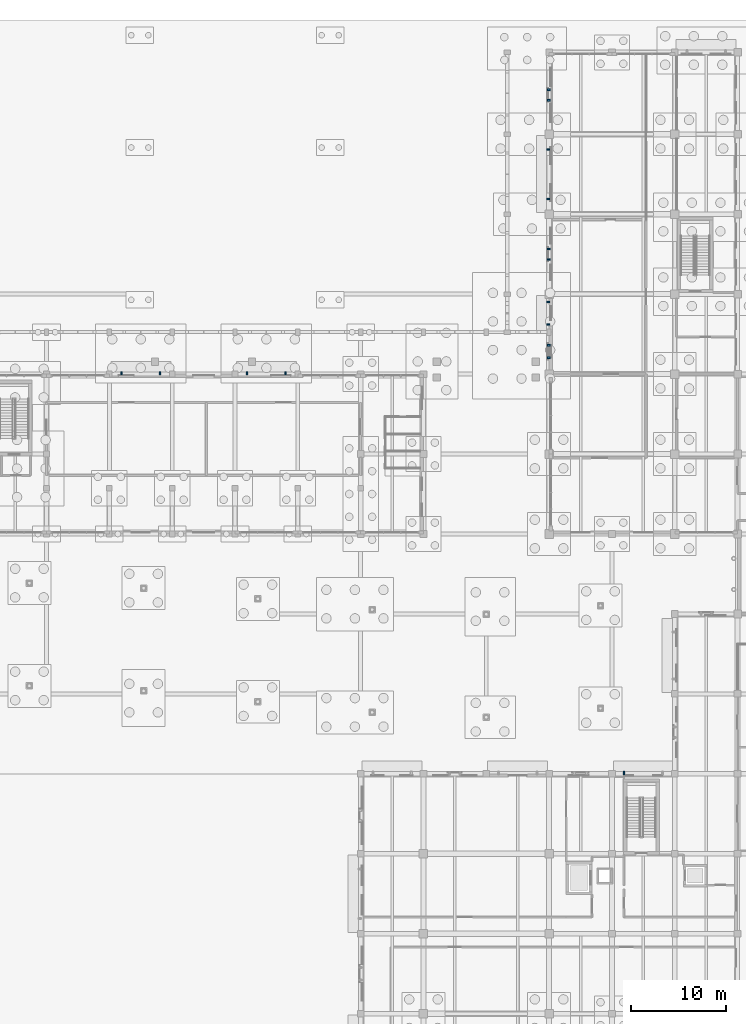
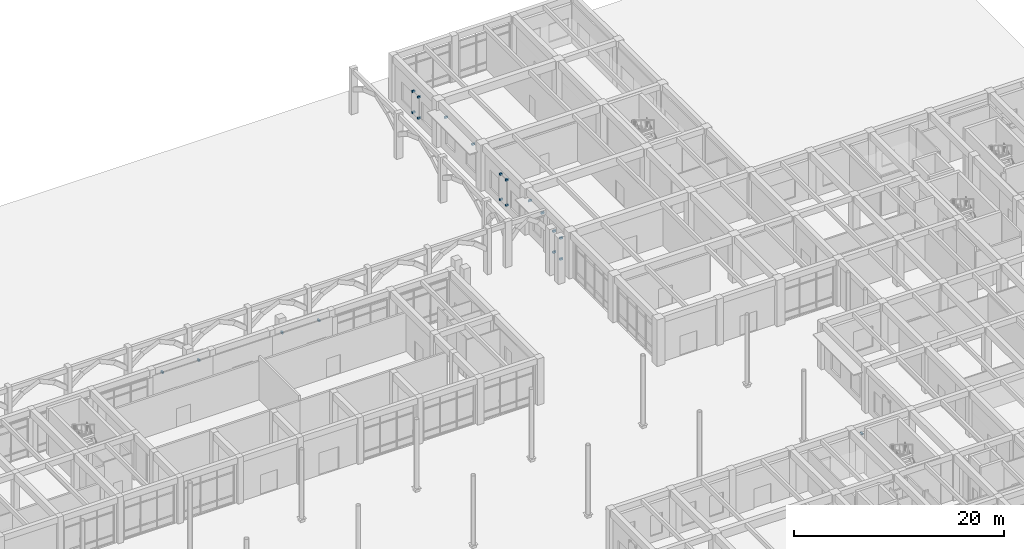
# One storey, part 69 of 82: 21 discrete accessories.
"""IFC4 building model written with IfcOpenShell, lengths in metres."""

import ifcopenshell
import ifcopenshell.guid

model = None  # the IFC model being written
_history = None  # IfcOwnerHistory: only IFC2X3 demands one
_inside = {}  # id of a spatial element -> (the spatial element, [elements in it])
_under = {}  # id of a project, library or spatial element -> (it, [spatial elements below it])
_declared = {}  # id of a project -> (the project, [libraries it declares])
_typed = {}  # id of a type object -> (the type object, [elements of that type])
_made_of = {}  # id of a material, layer set ... -> (it, [elements and type objects made of it])


def new_model(schema):
    """Start an empty IFC model of exactly this schema.

    Asked for "IFC4X3", IfcOpenShell would pick the latest addendum, in which some entities
    have other attributes; the version numbers below select the first issue.
    IFC2X3 requires an IfcOwnerHistory on every rooted entity: one is made here for all.
    """
    global model, _history
    if schema == "IFC4X3":
        model = ifcopenshell.file(schema_version=(4, 3, 0, 0))
    else:
        model = ifcopenshell.file(schema=schema)
    _inside.clear()
    _under.clear()
    _declared.clear()
    _typed.clear()
    _made_of.clear()
    _history = None
    if model.schema == "IFC2X3":
        org = make("IfcOrganization", Name="unknown")
        user = make(
            "IfcPersonAndOrganization",
            ThePerson=make("IfcPerson", FamilyName="unknown"),
            TheOrganization=org,
        )
        app = make(
            "IfcApplication",
            ApplicationDeveloper=org,
            Version="unknown",
            ApplicationFullName="unknown",
            ApplicationIdentifier="unknown",
        )
        _history = make(
            "IfcOwnerHistory",
            OwningUser=user,
            OwningApplication=app,
            ChangeAction="ADDED",
            CreationDate=0,
        )
    return model


def make(cls, **values):
    """One entity of the class cls with the attributes given. An attribute that is None is left unset."""
    return model.create_entity(
        cls, **{name: value for name, value in values.items() if value is not None}
    )


def rooted(cls, **values):
    """An entity with a GlobalId (a new one), such as an element, a storey or a relation."""
    return make(cls, GlobalId=ifcopenshell.guid.new(), OwnerHistory=_history, **values)


def si_unit(unit_type, name, prefix=None):
    """IfcSIUnit, for example si_unit("LENGTHUNIT", "METRE", prefix="MILLI")."""
    return make("IfcSIUnit", UnitType=unit_type, Prefix=prefix, Name=name)


def assignment(units):
    """IfcUnitAssignment: the units of a project."""
    return None if units is None else make("IfcUnitAssignment", Units=units)


def point(xyz):
    """IfcCartesianPoint."""
    return None if xyz is None else make("IfcCartesianPoint", Coordinates=xyz)


def direction(xyz):
    """IfcDirection."""
    return None if xyz is None else make("IfcDirection", DirectionRatios=xyz)


def frame(location, z_axis=None, x_axis=None):
    """IfcAxis2Placement3D, a coordinate frame: its origin and axes. An axis left out is left unset."""
    return make(
        "IfcAxis2Placement3D",
        Location=point(location),
        Axis=direction(z_axis),
        RefDirection=direction(x_axis),
    )


def frame_2d(location, x_axis=None):
    """IfcAxis2Placement2D, a coordinate frame in the plane: its origin and x axis."""
    return make(
        "IfcAxis2Placement2D", Location=point(location), RefDirection=direction(x_axis)
    )


def origin():
    """The frame at (0, 0, 0) with its axes left unset."""
    return frame((0.0, 0.0, 0.0))


def origin_2d():
    """The frame at (0, 0) in the plane with its x axis left unset."""
    return frame_2d((0.0, 0.0))


def place(relative_to, where):
    """IfcLocalPlacement: puts the frame where relative to a parent placement (None: the world)."""
    return make(
        "IfcLocalPlacement", PlacementRelTo=relative_to, RelativePlacement=where
    )


def context(
    kind, dimensions, precision=None, world=None, true_north=None, identifier=None
):
    """IfcGeometricRepresentationContext, for example the 3D "Model" context."""
    return make(
        "IfcGeometricRepresentationContext",
        ContextIdentifier=identifier,
        ContextType=kind,
        CoordinateSpaceDimension=dimensions,
        Precision=precision,
        WorldCoordinateSystem=world,
        TrueNorth=true_north,
    )


def subcontext(parent, identifier, kind, view, scale=None):
    """IfcGeometricRepresentationSubContext, for example "Body" below "Model"."""
    return make(
        "IfcGeometricRepresentationSubContext",
        ContextIdentifier=identifier,
        ContextType=kind,
        ParentContext=parent,
        TargetScale=scale,
        TargetView=view,
    )


def project(units=None, contexts=None):
    """IfcProject with its units and contexts."""
    return rooted(
        "IfcProject",
        Name="project",
        RepresentationContexts=contexts,
        UnitsInContext=assignment(units),
    )


def spatial(cls, under=None, at=None, **own):
    """A site, building, storey or space (cls), placed at a placement, below another one or the project."""
    s = rooted(cls, ObjectPlacement=at, **own)
    if under is not None:
        _under.setdefault(under.id(), (under, []))[1].append(s)
    return s


def profile(cls, at=None, kind="AREA", **sizes):
    """A parametric profile (cls). Its sizes go by their IFC names, for example OverallWidth=200.0."""
    return make(cls, ProfileType=kind, Position=at, **sizes)


def rectangle(**sizes):
    """IfcRectangleProfileDef."""
    return profile("IfcRectangleProfileDef", **sizes)


def extrude(swept, where, along, depth):
    """IfcExtrudedAreaSolid: the profile swept, set in the frame where, extruded along a direction by depth."""
    return make(
        "IfcExtrudedAreaSolid",
        SweptArea=swept,
        Position=where,
        ExtrudedDirection=direction(along),
        Depth=depth,
    )


def shape(context_of_items, identifier, shape_type, items):
    """IfcShapeRepresentation: the items that make up one representation, for example the "Body"."""
    return make(
        "IfcShapeRepresentation",
        ContextOfItems=context_of_items,
        RepresentationIdentifier=identifier,
        RepresentationType=shape_type,
        Items=items,
    )


def material(Name=None, Category=None):
    """IfcMaterial."""
    return make("IfcMaterial", Name=Name, Category=Category)


def made_of(thing, what):
    """Note that an element or type object is made of a material, layer set ...; save() writes the relation."""
    if what is not None:
        _made_of.setdefault(what.id(), (what, []))[1].append(thing)
    return thing


def type_object(cls, material=None, **own):
    """A type object (cls), such as IfcWallType, which elements share."""
    return made_of(rooted(cls, **own), material)


def element(
    cls,
    number,
    at=None,
    inside=None,
    cuts=None,
    type_object=None,
    material=None,
    context=None,
    identifier="Body",
    shape_type=None,
    held_by="IfcProductDefinitionShape",
    body=None,
    shapes=None,
    **own,
):
    """One element of the class cls, such as IfcWall. Its Tag is "e" and its number.

    at: its placement. inside: the storey or other place that contains it. cuts: it is an
    opening in that element (IfcRelVoidsElement). A single representation is given by context,
    identifier, shape_type and body (its items); several are given by shapes. held_by: the class
    of the entity that holds the representations. save() writes the other relations.
    """
    e = rooted(cls, Tag="e%d" % number, ObjectPlacement=at, **own)
    if body is not None:
        shapes = [shape(context, identifier, shape_type, body)]
    if shapes is not None:
        e.Representation = make(held_by, Representations=shapes)
    if inside is not None:
        _inside.setdefault(inside.id(), (inside, []))[1].append(e)
    if cuts is not None:
        rooted(
            "IfcRelVoidsElement", RelatingBuildingElement=cuts, RelatedOpeningElement=e
        )
    if type_object is not None:
        _typed.setdefault(type_object.id(), (type_object, []))[1].append(e)
    return made_of(e, material)


def aggregate(whole, parts):
    """IfcRelAggregates: a whole, such as a stair, and the parts it consists of."""
    return rooted("IfcRelAggregates", RelatingObject=whole, RelatedObjects=parts)


def save(model, path):
    """Write the relations noted so far, then the file.

    IfcRelAggregates (storeys below a building ...), IfcRelContainedInSpatialStructure (elements
    in a storey), IfcRelDefinesByType, IfcRelAssociatesMaterial and IfcRelDeclares: one each for
    every whole, place, type object, material and project.
    """
    for whole, parts in _under.values():
        aggregate(whole, parts)
    for where, things in _inside.values():
        rooted(
            "IfcRelContainedInSpatialStructure",
            RelatedElements=things,
            RelatingStructure=where,
        )
    for kind, things in _typed.values():
        rooted("IfcRelDefinesByType", RelatedObjects=things, RelatingType=kind)
    for what, things in _made_of.values():
        rooted("IfcRelAssociatesMaterial", RelatedObjects=things, RelatingMaterial=what)
    for by, libraries in _declared.values():
        rooted("IfcRelDeclares", RelatingContext=by, RelatedDefinitions=libraries)
    model.write(path)


model = new_model("IFC4")

# Units and contexts
model_context = context("Model", 3, precision=1e-05, world=origin(), true_north=direction((0.0, 1.0)))
body_context = subcontext(model_context, "Body", "Model", "MODEL_VIEW")
ifc_project = project(units=[si_unit("LENGTHUNIT", "METRE"), si_unit("AREAUNIT", "SQUARE_METRE"), si_unit("VOLUMEUNIT", "CUBIC_METRE"), si_unit("PLANEANGLEUNIT", "RADIAN"), si_unit("MASSUNIT", "GRAM", prefix="KILO")], contexts=[model_context])

# Site, building, storey
site_placement = place(None, origin())
site = spatial("IfcSite", under=ifc_project, at=site_placement, CompositionType="ELEMENT")
building_placement = place(site_placement, origin())
building = spatial("IfcBuilding", under=site, at=building_placement, Name="Kolvaren Faculty of Natural Sciences", CompositionType="ELEMENT")
storey_placement = place(building_placement, origin())
storey = spatial("IfcBuildingStorey", under=building, at=storey_placement, Name="L00", CompositionType="ELEMENT", Elevation=0.0)

# Discrete accessories
ifc_material = material(Name="Structural steel EN 10025-2 S355J2", Category="steel")
discrete_accessory_type = type_object("IfcDiscreteAccessoryType", Name="FacadeSupportBracket_260", PredefinedType="BRACKET", material=ifc_material)
for number, where, z_axis, x_axis, name in (
    (1, (74.083984375, 84.300048828125, 4.31494140625), (0.0, 0.0, 1.0), (1.0, 0.0, 0.0), "L00 chhajja hood steel bracket"),
    (2, (78.115966796875, 84.300048828125, 4.31494140625), (0.0, 0.0, 1.0), (1.0, 0.0, 0.0), "L00 chhajja hood steel bracket"),
    (3, (87.283935546875, 84.300048828125, 4.31494140625), (0.0, 0.0, 1.0), (1.0, 0.0, 0.0), "L00 chhajja hood steel bracket"),
    (4, (91.31591796875, 84.300048828125, 4.31494140625), (0.0, 0.0, 1.0), (1.0, 0.0, 0.0), "L00 chhajja hood steel bracket"),
):
    element("IfcDiscreteAccessory", number, at=place(storey_placement, frame(where, z_axis=z_axis, x_axis=x_axis)), inside=storey, type_object=discrete_accessory_type, Name=name, PredefinedType="BRACKET", context=body_context, shape_type="SweptSolid", body=[
        extrude(rectangle(XDim=0.159912109375, YDim=0.340087890625, at=origin_2d()), origin(), (0.0, 0.0, 1.0), 0.219970703125),
    ])
for number, where, z_axis, x_axis, name in (
    (5, (118.93994140625, 85.905029296875, 0.81982421875), (0.0, 0.0, 1.0), (0.0, 1.0, 0.0), "L00 jali screen wall bracket"),
    (6, (118.93994140625, 87.235107421875, 0.81982421875), (0.0, 0.0, 1.0), (0.0, 1.0, 0.0), "L00 jali screen wall bracket"),
    (7, (118.93994140625, 85.905029296875, 3.26025390625), (0.0, 0.0, 1.0), (0.0, 1.0, 0.0), "L00 jali screen wall bracket"),
    (8, (118.93994140625, 87.235107421875, 3.26025390625), (0.0, 0.0, 1.0), (0.0, 1.0, 0.0), "L00 jali screen wall bracket"),
):
    element("IfcDiscreteAccessory", number, at=place(storey_placement, frame(where, z_axis=z_axis, x_axis=x_axis)), inside=storey, type_object=discrete_accessory_type, Name=name, PredefinedType="BRACKET", context=body_context, shape_type="SweptSolid", body=[
        extrude(rectangle(XDim=0.179931640625, YDim=0.320068359375, at=origin_2d()), origin(), (0.0, 0.0, 1.0), 0.219970703125),
    ])
for number, where, z_axis, x_axis, name in (
    (9, (118.89990234375, 89.416015625, 4.06494140625), (0.0, 0.0, 1.0), (0.0, 1.0, 0.0), "L00 chhajja hood steel bracket"),
    (10, (118.89990234375, 91.783935546875, 4.06494140625), (0.0, 0.0, 1.0), (0.0, 1.0, 0.0), "L00 chhajja hood steel bracket"),
):
    element("IfcDiscreteAccessory", number, at=place(storey_placement, frame(where, z_axis=z_axis, x_axis=x_axis)), inside=storey, type_object=discrete_accessory_type, Name=name, PredefinedType="BRACKET", context=body_context, shape_type="SweptSolid", body=[
        extrude(rectangle(XDim=0.159912109375, YDim=0.340087890625, at=origin_2d()), origin(), (0.0, 0.0, 1.0), 0.219970703125),
    ])
for number, where, z_axis, x_axis, name in (
    (11, (118.93994140625, 96.2490234375, 0.81982421875), (0.0, 0.0, 1.0), (0.0, 1.0, 0.0), "L00 jali screen wall bracket"),
    (12, (118.93994140625, 97.35107421875, 0.81982421875), (0.0, 0.0, 1.0), (0.0, 1.0, 0.0), "L00 jali screen wall bracket"),
    (13, (118.93994140625, 96.2490234375, 3.76025390625), (0.0, 0.0, 1.0), (0.0, 1.0, 0.0), "L00 jali screen wall bracket"),
    (14, (118.93994140625, 97.35107421875, 3.76025390625), (0.0, 0.0, 1.0), (0.0, 1.0, 0.0), "L00 jali screen wall bracket"),
):
    element("IfcDiscreteAccessory", number, at=place(storey_placement, frame(where, z_axis=z_axis, x_axis=x_axis)), inside=storey, type_object=discrete_accessory_type, Name=name, PredefinedType="BRACKET", context=body_context, shape_type="SweptSolid", body=[
        extrude(rectangle(XDim=0.179931640625, YDim=0.320068359375, at=origin_2d()), origin(), (0.0, 0.0, 1.0), 0.219970703125),
    ])
for number, where, z_axis, x_axis, name in (
    (15, (118.89990234375, 102.60791015625, 4.06494140625), (0.0, 0.0, 1.0), (0.0, 1.0, 0.0), "L00 chhajja hood steel bracket"),
    (16, (118.89990234375, 107.7919921875, 4.06494140625), (0.0, 0.0, 1.0), (0.0, 1.0, 0.0), "L00 chhajja hood steel bracket"),
):
    element("IfcDiscreteAccessory", number, at=place(storey_placement, frame(where, z_axis=z_axis, x_axis=x_axis)), inside=storey, type_object=discrete_accessory_type, Name=name, PredefinedType="BRACKET", context=body_context, shape_type="SweptSolid", body=[
        extrude(rectangle(XDim=0.159912109375, YDim=0.340087890625, at=origin_2d()), origin(), (0.0, 0.0, 1.0), 0.219970703125),
    ])
for number, where, z_axis, x_axis, name in (
    (17, (118.93994140625, 112.97900390625, 0.81982421875), (0.0, 0.0, 1.0), (0.0, 1.0, 0.0), "L00 jali screen wall bracket"),
    (18, (118.93994140625, 114.0810546875, 0.81982421875), (0.0, 0.0, 1.0), (0.0, 1.0, 0.0), "L00 jali screen wall bracket"),
    (19, (118.93994140625, 112.97900390625, 3.26025390625), (0.0, 0.0, 1.0), (0.0, 1.0, 0.0), "L00 jali screen wall bracket"),
    (20, (118.93994140625, 114.0810546875, 3.26025390625), (0.0, 0.0, 1.0), (0.0, 1.0, 0.0), "L00 jali screen wall bracket"),
):
    element("IfcDiscreteAccessory", number, at=place(storey_placement, frame(where, z_axis=z_axis, x_axis=x_axis)), inside=storey, type_object=discrete_accessory_type, Name=name, PredefinedType="BRACKET", context=body_context, shape_type="SweptSolid", body=[
        extrude(rectangle(XDim=0.179931640625, YDim=0.320068359375, at=origin_2d()), origin(), (0.0, 0.0, 1.0), 0.219970703125),
    ])
discrete_accessory_placement = place(storey_placement, frame((126.884033203125, 42.300048828125, 4.1650390625), z_axis=(0.0, 0.0, 1.0), x_axis=(1.0, 0.0, 0.0)))
element("IfcDiscreteAccessory", 21, at=discrete_accessory_placement, inside=storey, type_object=discrete_accessory_type, Name="L00 chhajja hood steel bracket", PredefinedType="BRACKET", context=body_context, shape_type="SweptSolid", body=[
    extrude(rectangle(XDim=0.159912109375, YDim=0.340087890625, at=origin_2d()), origin(), (0.0, 0.0, 1.0), 0.219970703125),
])

save(model, "model.ifc")
